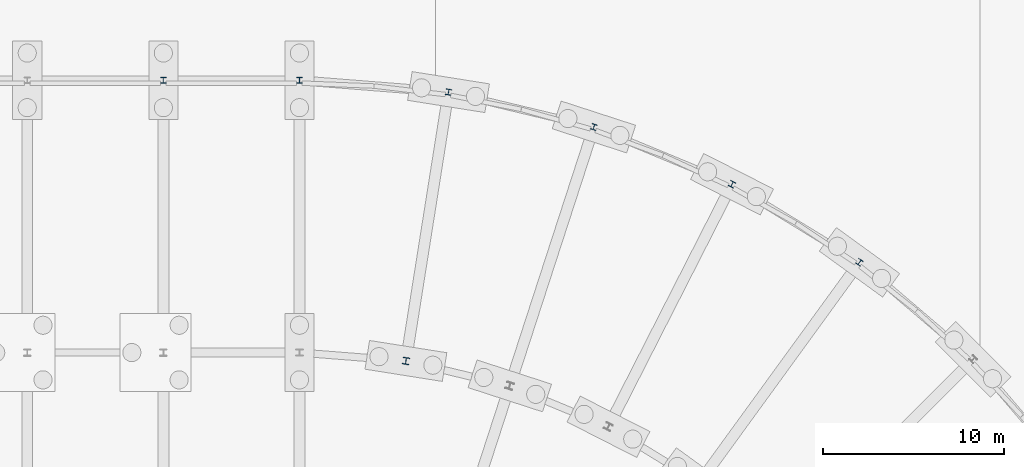
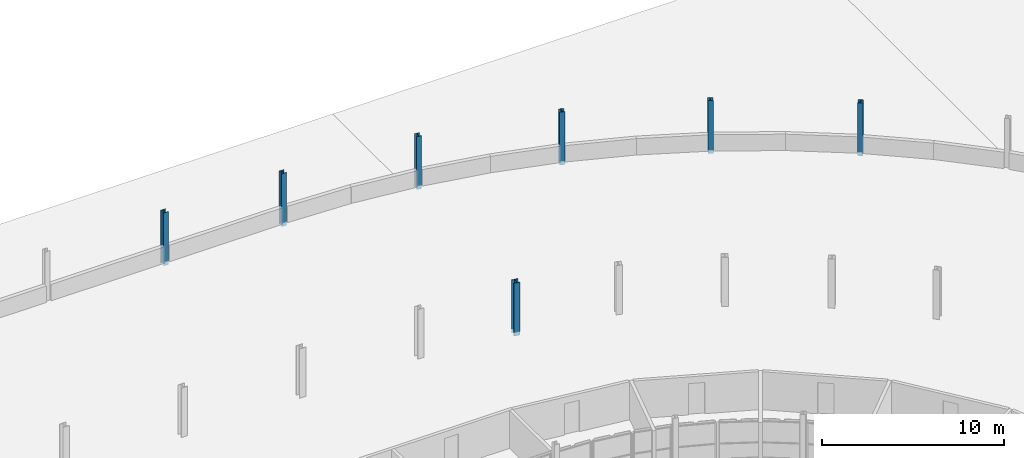
# One storey, part 42 of 130: 7 columns.
"""IFC4 building model written with IfcOpenShell, lengths in metres."""

from ifc_helpers import new_model, si_unit, direction, frame, origin, origin_2d, place, context, subcontext, project, spatial, i_section, extrude, material, material_profile, profile_set, type_object, element, save


model = new_model("IFC4")

# Units and contexts
model_context = context("Model", 3, precision=1e-05, world=origin(), true_north=direction((0.0, 1.0)))
body_context = subcontext(model_context, "Body", "Model", "MODEL_VIEW")
ifc_project = project(units=[si_unit("LENGTHUNIT", "METRE"), si_unit("AREAUNIT", "SQUARE_METRE"), si_unit("VOLUMEUNIT", "CUBIC_METRE"), si_unit("PLANEANGLEUNIT", "RADIAN"), si_unit("MASSUNIT", "GRAM", prefix="KILO")], contexts=[model_context])

# Site, building, storey
site_placement = place(None, origin())
site = spatial("IfcSite", under=ifc_project, at=site_placement, CompositionType="ELEMENT")
building_placement = place(site_placement, origin())
building = spatial("IfcBuilding", under=site, at=building_placement, Name="Parallax Yard Mobility Hub", CompositionType="ELEMENT")
storey_placement = place(building_placement, origin())
storey = spatial("IfcBuildingStorey", under=building, at=storey_placement, Name="L00", CompositionType="ELEMENT", Elevation=0.0)

# Columns
ifc_material = material(Name="Steel ASTM A992", Category="steel")
ifc_material_profile_1 = material_profile(ifc_material, i_section(OverallWidth=0.306884765625, OverallDepth=0.318115234375, WebThickness=0.01318359375, FlangeThickness=0.0205078125, FilletRadius=0.01513671875, at=origin_2d()), Name="W310x129")
ifc_profile_set_1 = profile_set([ifc_material_profile_1], Name="Steel ASTM A992")
column_type_1 = type_object("IfcColumnType", Name="W310x129 column", PredefinedType="COLUMN", material=ifc_profile_set_1)
for number, where, z_axis, x_axis, name in (
    (1, (165.0, 142.5, -0.25), (0.0, 0.0, 1.0), (1.0, 0.0, 0.0), "Column C3 level L00 at V/23 of ramped parking decks"),
    (2, (172.5, 142.5, -0.25), (0.0, 0.0, 1.0), (1.0, 0.0, 0.0), "Column C3 level L00 at V/24 of ramped parking decks"),
    (3, (180.712890625, 141.853515625, -0.25), (0.0, 0.0, 1.0), (-0.987688340595, 0.15643446504, 0.0), "Column C3 level L00 at RC/R1 of ramped parking decks"),
    (4, (188.723388671875, 139.930419921875, -0.25), (0.0, 0.0, 1.0), (-0.951056516295, 0.309016994375, 0.0), "Column C3 level L00 at RC/R2 of ramped parking decks"),
    (5, (196.33447265625, 136.77783203125, -0.25), (0.0, 0.0, 1.0), (-0.891006524188, 0.45399049974, 0.0), "Column C3 level L00 at RC/R3 of ramped parking decks"),
    (6, (203.358642578125, 132.473388671875, -0.25), (0.0, 0.0, 1.0), (-0.809016994375, 0.587785252292, 0.0), "Column C3 level L00 at RC/R4 of ramped parking decks"),
):
    element("IfcColumn", number, at=place(storey_placement, frame(where, z_axis=z_axis, x_axis=x_axis)), inside=storey, type_object=column_type_1, Name=name, PredefinedType="COLUMN", context=body_context, shape_type="SweptSolid", body=[
        extrude(i_section(OverallWidth=0.306884765625, OverallDepth=0.318115234375, WebThickness=0.01318359375, FlangeThickness=0.0205078125, FilletRadius=0.01513671875, at=origin_2d()), origin(), (0.0, 0.0, 1.0), 3.550048828125),
    ])
ifc_material_profile_2 = material_profile(ifc_material, i_section(OverallWidth=0.373046875, OverallDepth=0.373046875, WebThickness=0.016357421875, FlangeThickness=0.026123046875, FilletRadius=0.01513671875, at=origin_2d()), Name="W360x196")
ifc_profile_set_2 = profile_set([ifc_material_profile_2], Name="Steel ASTM A992")
column_type_2 = type_object("IfcColumnType", Name="W360x196 column", PredefinedType="COLUMN", material=ifc_profile_set_2)
column_placement = place(storey_placement, frame((178.3662109375, 127.038330078125, -0.25), z_axis=(0.0, 0.0, 1.0), x_axis=(-0.987688340595, 0.15643446504, 0.0)))
element("IfcColumn", 7, at=column_placement, inside=storey, type_object=column_type_2, Name="Column C8 level L00 at RB/R1 of ramped parking decks", PredefinedType="COLUMN", context=body_context, shape_type="SweptSolid", body=[
    extrude(i_section(OverallWidth=0.373046875, OverallDepth=0.373046875, WebThickness=0.016357421875, FlangeThickness=0.026123046875, FilletRadius=0.01513671875, at=origin_2d()), origin(), (0.0, 0.0, 1.0), 3.550048828125),
])

save(model, "model.ifc")
